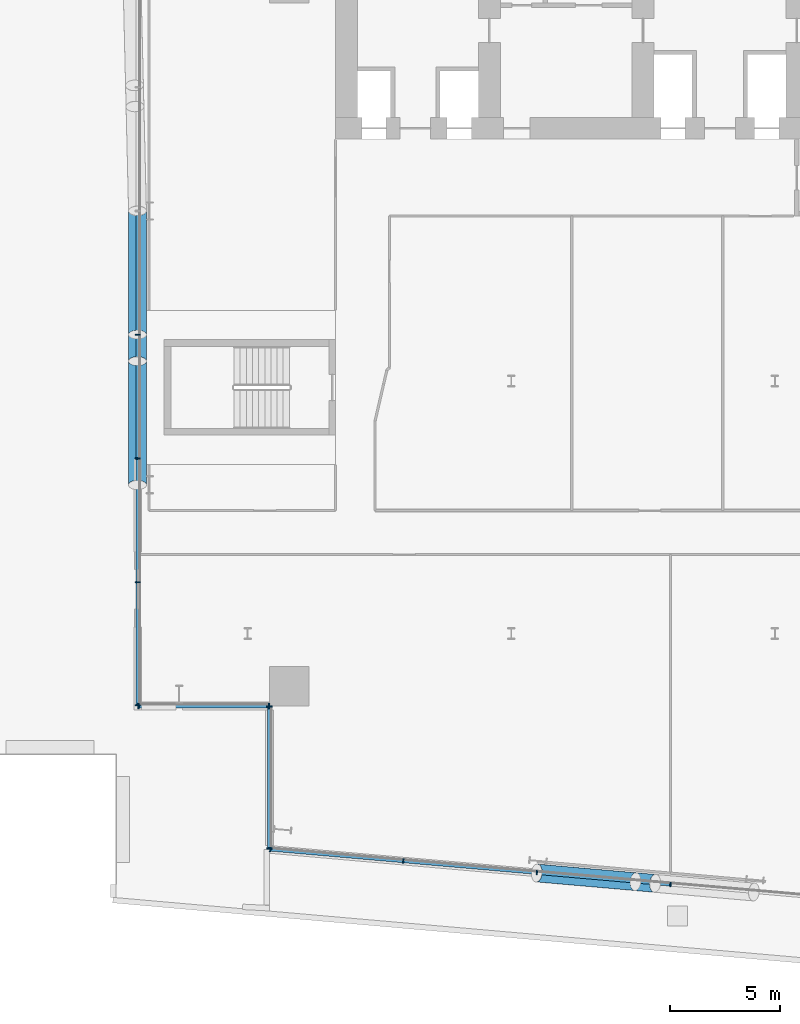
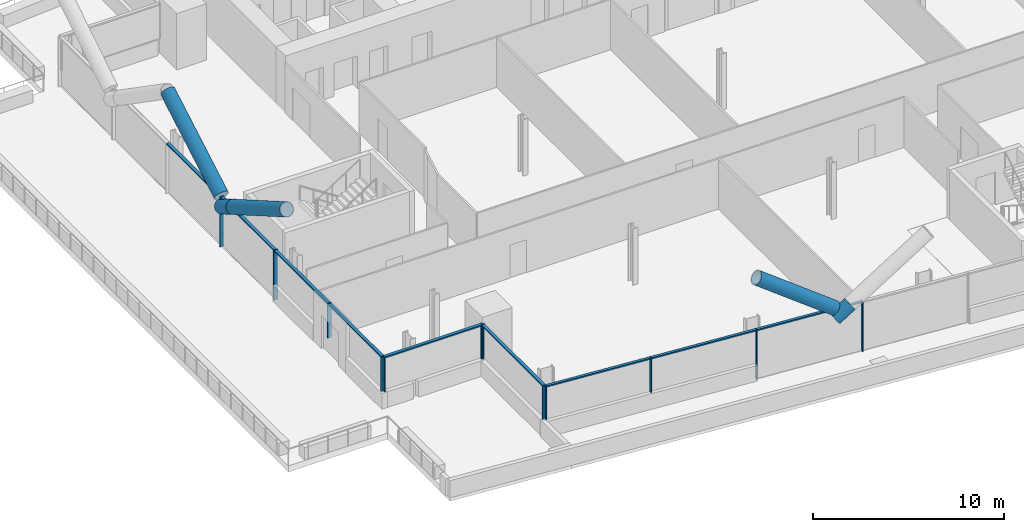
# One storey, part 4 of 26: 26 members, 4 elements without a shape of their own.
"""IFC4 building model written with IfcOpenShell, lengths in metres."""

from ifc_helpers import new_model, si_unit, direction, frame, origin, origin_2d, place, context, subcontext, project, spatial, rectangle, hollow_circle, extrude, material, material_profile, profile_set, type_object, element, aggregate, save


model = new_model("IFC4")

# Units and contexts
model_context = context("Model", 3, precision=1e-05, world=origin(), true_north=direction((0.0, 1.0)))
body_context = subcontext(model_context, "Body", "Model", "MODEL_VIEW")
ifc_project = project(units=[si_unit("LENGTHUNIT", "METRE"), si_unit("AREAUNIT", "SQUARE_METRE"), si_unit("VOLUMEUNIT", "CUBIC_METRE"), si_unit("PLANEANGLEUNIT", "RADIAN"), si_unit("MASSUNIT", "GRAM", prefix="KILO")], contexts=[model_context])

# Site, building, storey
site_placement = place(None, origin())
site = spatial("IfcSite", under=ifc_project, at=site_placement, CompositionType="ELEMENT")
building_placement = place(site_placement, origin())
building = spatial("IfcBuilding", under=site, at=building_placement, Name="Wharfspan Tower", CompositionType="ELEMENT")
storey_placement = place(building_placement, frame((0.0, 0.0, 96.699951)))
storey = spatial("IfcBuildingStorey", under=building, at=storey_placement, Name="L21", CompositionType="ELEMENT", Elevation=96.699951)

# Members
ifc_material_1 = material(Name="Steel S460NH", Category="steel")
ifc_material_profile_1 = material_profile(ifc_material_1, hollow_circle(Radius=0.406494, WallThickness=0.040039, at=origin_2d()))
ifc_profile_set_1 = profile_set([ifc_material_profile_1], Name="Steel S460NH")
member_type_1 = type_object("IfcMemberType", Name="Brace node tie CHS 813x40", PredefinedType="STRUT", material=ifc_profile_set_1)
member_1_placement = place(storey_placement, frame((29.662842, 0.202148, 2.579102), z_axis=(0.806014, -0.070389, 0.587696), x_axis=(0.086999, 0.996204, -1e-06)))
element("IfcMember", 1, at=member_1_placement, inside=storey, type_object=member_type_1, Name="Brace node tie L21 S1", PredefinedType="STRUT", context=body_context, shape_type="SweptSolid", body=[
    extrude(hollow_circle(Radius=0.406494, WallThickness=0.040039, at=origin_2d()), origin(), (0.0, 0.0, 1.0), 1.092529),
])
member_2_placement = place(storey_placement, frame((6.985107, 25.097412, 2.554932), z_axis=(0.0, -0.865914, 0.500192), x_axis=(1.0, 0.0, 0.0)))
element("IfcMember", 2, at=member_2_placement, inside=storey, type_object=member_type_1, Name="Brace node tie L21 W3", PredefinedType="STRUT", context=body_context, shape_type="SweptSolid", body=[
    extrude(hollow_circle(Radius=0.406494, WallThickness=0.040039, at=origin_2d()), origin(), (0.0, 0.0, 1.0), 1.379883),
])

# Curtain wall, members
ifc_material_2 = material(Name="Aluminium 6063-T6", Category="aluminium")
curtain_wall_type_1 = type_object("IfcCurtainWallType", Name="CURTAIN WALL FACETED FRONT", PredefinedType="NOTDEFINED", material=ifc_material_2)
curtain_wall_1_placement = place(storey_placement, origin())
curtain_wall_1 = element("IfcCurtainWall", 3, at=curtain_wall_1_placement, inside=storey, type_object=curtain_wall_type_1, Name="Curtain wall S1", PredefinedType="NOTDEFINED")
ifc_material_profile_2 = material_profile(ifc_material_2, rectangle(XDim=0.199951, YDim=0.060059, at=origin_2d()))
ifc_profile_set_2 = profile_set([ifc_material_profile_2], Name="Aluminium 6063-T6")
member_type_2 = type_object("IfcMemberType", Name="MULLION FACETED FRONT 60x200", PredefinedType="MULLION", material=ifc_profile_set_2)
member_3_placement = place(storey_placement, frame((13.029785, 1.672363, 1.0), z_axis=(0.0, 0.0, 1.0), x_axis=(0.087156, 0.996198, 0.0)))
member_3 = element("IfcMember", 4, at=member_3_placement, type_object=member_type_2, Name="Curtain wall S1 mullion 1", PredefinedType="MULLION", context=body_context, shape_type="SweptSolid", body=[
    extrude(rectangle(XDim=0.199951, YDim=0.060059, at=origin_2d()), origin(), (0.0, 0.0, 1.0), 2.199951),
])
member_4_placement = place(storey_placement, frame((19.083252, 1.142822, 1.0), z_axis=(0.0, 0.0, 1.0), x_axis=(0.087156, 0.996198, 0.0)))
member_4 = element("IfcMember", 5, at=member_4_placement, type_object=member_type_2, Name="Curtain wall S1 mullion 2", PredefinedType="MULLION", context=body_context, shape_type="SweptSolid", body=[
    extrude(rectangle(XDim=0.199951, YDim=0.060059, at=origin_2d()), origin(), (0.0, 0.0, 1.0), 2.199951),
])
member_5_placement = place(storey_placement, frame((25.166748, 0.610596, 0.0), z_axis=(0.0, 0.0, 1.0), x_axis=(0.087156, 0.996198, 0.0)))
member_5 = element("IfcMember", 6, at=member_5_placement, type_object=member_type_2, Name="Curtain wall S1 mullion 3", PredefinedType="MULLION", context=body_context, shape_type="SweptSolid", body=[
    extrude(rectangle(XDim=0.199951, YDim=0.060059, at=origin_2d()), origin(), (0.0, 0.0, 1.0), 3.199951),
])
member_6_placement = place(storey_placement, frame((31.25, 0.078369, 0.0), z_axis=(0.0, 0.0, 1.0), x_axis=(0.087156, 0.996198, 0.0)))
member_6 = element("IfcMember", 7, at=member_6_placement, type_object=member_type_2, Name="Curtain wall S1 mullion 4", PredefinedType="MULLION", context=body_context, shape_type="SweptSolid", body=[
    extrude(rectangle(XDim=0.199951, YDim=0.060059, at=origin_2d()), origin(), (0.0, 0.0, 1.0), 3.199951),
])

curtain_wall_type_2 = type_object("IfcCurtainWallType", Name="CURTAIN WALL PROW AND END", PredefinedType="NOTDEFINED", material=ifc_material_2)
curtain_wall_2_placement = place(storey_placement, origin())
curtain_wall_2 = element("IfcCurtainWall", 8, at=curtain_wall_2_placement, inside=storey, type_object=curtain_wall_type_2, Name="Curtain wall W", PredefinedType="NOTDEFINED")
ifc_material_profile_3 = material_profile(ifc_material_2, rectangle(XDim=0.23999, YDim=0.060059, at=origin_2d()))
ifc_profile_set_3 = profile_set([ifc_material_profile_3], Name="Aluminium 6063-T6")
member_type_3 = type_object("IfcMemberType", Name="MULLION PROW AND END 60x240", PredefinedType="MULLION", material=ifc_profile_set_3)
member_7_placement = place(storey_placement, frame((7.0, 25.100098, 0.0), z_axis=(0.0, 0.0, 1.0), x_axis=(1.0, 0.0, 0.0)))
member_7 = element("IfcMember", 9, at=member_7_placement, type_object=member_type_3, Name="Curtain wall W mullion 4", PredefinedType="MULLION", context=body_context, shape_type="SweptSolid", body=[
    extrude(rectangle(XDim=0.23999, YDim=0.060059, at=origin_2d()), origin(), (0.0, 0.0, 1.0), 3.199951),
])
member_8_placement = place(storey_placement, frame((7.0, 19.466553, 0.0), z_axis=(0.0, 0.0, 1.0), x_axis=(1.0, 0.0, 0.0)))
member_8 = element("IfcMember", 10, at=member_8_placement, type_object=member_type_3, Name="Curtain wall W mullion 5", PredefinedType="MULLION", context=body_context, shape_type="SweptSolid", body=[
    extrude(rectangle(XDim=0.23999, YDim=0.060059, at=origin_2d()), origin(), (0.0, 0.0, 1.0), 3.199951),
])
member_9_placement = place(storey_placement, frame((7.0, 13.833252, 1.0), z_axis=(0.0, 0.0, 1.0), x_axis=(1.0, 0.0, 0.0)))
member_9 = element("IfcMember", 11, at=member_9_placement, type_object=member_type_3, Name="Curtain wall W mullion 6", PredefinedType="MULLION", context=body_context, shape_type="SweptSolid", body=[
    extrude(rectangle(XDim=0.23999, YDim=0.060059, at=origin_2d()), origin(), (0.0, 0.0, 1.0), 2.199951),
])
member_10_placement = place(storey_placement, frame((7.0, 8.22998, 1.0), z_axis=(0.0, 0.0, 1.0), x_axis=(1.0, 0.0, 0.0)))
member_10 = element("IfcMember", 12, at=member_10_placement, type_object=member_type_3, Name="Curtain wall W mullion 7", PredefinedType="MULLION", context=body_context, shape_type="SweptSolid", body=[
    extrude(rectangle(XDim=0.23999, YDim=0.060059, at=origin_2d()), origin(), (0.0, 0.0, 1.0), 2.199951),
])

curtain_wall_3_placement = place(storey_placement, origin())
curtain_wall_3 = element("IfcCurtainWall", 13, at=curtain_wall_3_placement, inside=storey, type_object=curtain_wall_type_2, Name="Curtain wall NFW-H", PredefinedType="NOTDEFINED")
member_11_placement = place(storey_placement, frame((7.030029, 8.199951, 1.0), z_axis=(0.0, 0.0, 1.0), x_axis=(0.0, 1.0, 0.0)))
member_11 = element("IfcMember", 14, at=member_11_placement, type_object=member_type_3, Name="Curtain wall NFW-H mullion 1", PredefinedType="MULLION", context=body_context, shape_type="SweptSolid", body=[
    extrude(rectangle(XDim=0.23999, YDim=0.060059, at=origin_2d()), origin(), (0.0, 0.0, 1.0), 2.199951),
])
member_12_placement = place(storey_placement, frame((12.969971, 8.199951, 1.0), z_axis=(0.0, 0.0, 1.0), x_axis=(0.0, 1.0, 0.0)))
member_12 = element("IfcMember", 15, at=member_12_placement, type_object=member_type_3, Name="Curtain wall NFW-H mullion 2", PredefinedType="MULLION", context=body_context, shape_type="SweptSolid", body=[
    extrude(rectangle(XDim=0.23999, YDim=0.060059, at=origin_2d()), origin(), (0.0, 0.0, 1.0), 2.199951),
])

curtain_wall_4_placement = place(storey_placement, origin())
curtain_wall_4 = element("IfcCurtainWall", 16, at=curtain_wall_4_placement, inside=storey, type_object=curtain_wall_type_2, Name="Curtain wall NFW-V", PredefinedType="NOTDEFINED")
member_13_placement = place(storey_placement, frame((13.0, 8.169922, 1.0), z_axis=(0.0, 0.0, 1.0), x_axis=(1.0, 0.0, 0.0)))
member_13 = element("IfcMember", 17, at=member_13_placement, type_object=member_type_3, Name="Curtain wall NFW-V mullion 1", PredefinedType="MULLION", context=body_context, shape_type="SweptSolid", body=[
    extrude(rectangle(XDim=0.23999, YDim=0.060059, at=origin_2d()), origin(), (0.0, 0.0, 1.0), 2.199951),
])
member_14_placement = place(storey_placement, frame((13.0, 1.705078, 1.0), z_axis=(0.0, 0.0, 1.0), x_axis=(1.0, 0.0, 0.0)))
member_14 = element("IfcMember", 18, at=member_14_placement, type_object=member_type_3, Name="Curtain wall NFW-V mullion 2", PredefinedType="MULLION", context=body_context, shape_type="SweptSolid", body=[
    extrude(rectangle(XDim=0.23999, YDim=0.060059, at=origin_2d()), origin(), (0.0, 0.0, 1.0), 2.199951),
])

# Members
ifc_material_profile_4 = material_profile(ifc_material_1, hollow_circle(Radius=0.406494, WallThickness=0.040039, at=origin_2d()))
ifc_profile_set_4 = profile_set([ifc_material_profile_4], Name="Steel S460NH")
member_type_4 = type_object("IfcMemberType", Name="Mega brace CHS 813x40", PredefinedType="BRACE", material=ifc_profile_set_4)
member_15_placement = place(storey_placement, frame((29.654785, 0.202881, 3.227051), z_axis=(-0.806051, 0.070528, 0.587629), x_axis=(-0.087168, -0.996193, -4e-06)))
element("IfcMember", 19, at=member_15_placement, inside=storey, type_object=member_type_4, Name="Mega brace S1 L21 part 4", PredefinedType="BRACE", context=body_context, shape_type="SweptSolid", body=[
    extrude(hollow_circle(Radius=0.406494, WallThickness=0.040039, at=origin_2d()), origin(), (0.0, 0.0, 1.0), 5.569824),
])
for number, where, z_axis, x_axis, name in (
    (20, (6.985107, 23.894043, 3.25), (0.0, -0.865959, 0.500115), (1.0, 0.0, 0.0), "Mega brace W3 L21 part 2"),
    (21, (6.985107, 25.105957, 3.25), (0.0, 0.865959, 0.500115), (-1.0, 0.0, 0.0), "Mega brace W3 L21 part 4"),
):
    element("IfcMember", number, at=place(storey_placement, frame(where, z_axis=z_axis, x_axis=x_axis)), inside=storey, type_object=member_type_4, Name=name, PredefinedType="BRACE", context=body_context, shape_type="SweptSolid", body=[
        extrude(hollow_circle(Radius=0.406494, WallThickness=0.040039, at=origin_2d()), origin(), (0.0, 0.0, 1.0), 6.498535),
    ])

# Member
ifc_material_profile_5 = material_profile(ifc_material_2, rectangle(XDim=0.159912, YDim=0.080078, at=origin_2d()))
ifc_profile_set_5 = profile_set([ifc_material_profile_5], Name="Aluminium 6063-T6")
member_type_5 = type_object("IfcMemberType", Name="TRANSOM FACETED FRONT 80x160", PredefinedType="USERDEFINED", material=ifc_profile_set_5)
member_16_placement = place(storey_placement, frame((13.059814, 1.669922, 3.160156), z_axis=(0.996194, -0.087162, 0.0), x_axis=(0.087162, 0.996194, 0.0)))
member_16 = element("IfcMember", 22, at=member_16_placement, type_object=member_type_5, Name="Curtain wall S1 transom 1", ObjectType="TRANSOM", PredefinedType="USERDEFINED", context=body_context, shape_type="SweptSolid", body=[
    extrude(rectangle(XDim=0.159912, YDim=0.080078, at=origin_2d()), origin(), (0.0, 0.0, 1.0), 6.016602),
])

member_17_placement = place(storey_placement, frame((19.113281, 1.140137, 3.160156), z_axis=(0.996197, -0.087135, 0.0), x_axis=(0.087135, 0.996197, 0.0)))
member_17 = element("IfcMember", 23, at=member_17_placement, type_object=member_type_5, Name="Curtain wall S1 transom 2", ObjectType="TRANSOM", PredefinedType="USERDEFINED", context=body_context, shape_type="SweptSolid", body=[
    extrude(rectangle(XDim=0.159912, YDim=0.080078, at=origin_2d()), origin(), (0.0, 0.0, 1.0), 6.046387),
])

member_18_placement = place(storey_placement, frame((25.196533, 0.60791, 3.160156), z_axis=(0.996197, -0.087131, 0.0), x_axis=(0.087131, 0.996197, 0.0)))
member_18 = element("IfcMember", 24, at=member_18_placement, type_object=member_type_5, Name="Curtain wall S1 transom 3", ObjectType="TRANSOM", PredefinedType="USERDEFINED", context=body_context, shape_type="SweptSolid", body=[
    extrude(rectangle(XDim=0.159912, YDim=0.080078, at=origin_2d()), origin(), (0.0, 0.0, 1.0), 6.046631),
])

aggregate(curtain_wall_1, [member_3, member_4, member_5, member_6, member_16, member_17, member_18])

ifc_material_profile_6 = material_profile(ifc_material_2, rectangle(XDim=0.179932, YDim=0.080078, at=origin_2d()))
ifc_profile_set_6 = profile_set([ifc_material_profile_6], Name="Aluminium 6063-T6")
member_type_6 = type_object("IfcMemberType", Name="TRANSOM PROW AND END 80x180", PredefinedType="USERDEFINED", material=ifc_profile_set_6)
member_19_placement = place(storey_placement, frame((7.0, 30.703369, 3.160156), z_axis=(0.0, -1.0, 0.0), x_axis=(1.0, 0.0, 0.0)))
member_19 = element("IfcMember", 25, at=member_19_placement, type_object=member_type_6, Name="Curtain wall W transom 3", ObjectType="TRANSOM", PredefinedType="USERDEFINED", context=body_context, shape_type="SweptSolid", body=[
    extrude(rectangle(XDim=0.179932, YDim=0.080078, at=origin_2d()), origin(), (0.0, 0.0, 1.0), 5.573486),
])

member_20_placement = place(storey_placement, frame((7.0, 25.070068, 3.160156), z_axis=(0.0, -1.0, 0.0), x_axis=(1.0, 0.0, 0.0)))
member_20 = element("IfcMember", 26, at=member_20_placement, type_object=member_type_6, Name="Curtain wall W transom 4", ObjectType="TRANSOM", PredefinedType="USERDEFINED", context=body_context, shape_type="SweptSolid", body=[
    extrude(rectangle(XDim=0.179932, YDim=0.080078, at=origin_2d()), origin(), (0.0, 0.0, 1.0), 5.573486),
])

member_21_placement = place(storey_placement, frame((7.0, 19.436768, 3.160156), z_axis=(0.0, -1.0, 0.0), x_axis=(1.0, 0.0, 0.0)))
member_21 = element("IfcMember", 27, at=member_21_placement, type_object=member_type_6, Name="Curtain wall W transom 5", ObjectType="TRANSOM", PredefinedType="USERDEFINED", context=body_context, shape_type="SweptSolid", body=[
    extrude(rectangle(XDim=0.179932, YDim=0.080078, at=origin_2d()), origin(), (0.0, 0.0, 1.0), 5.573486),
])

member_22_placement = place(storey_placement, frame((7.0, 13.803223, 3.160156), z_axis=(0.0, -1.0, 0.0), x_axis=(1.0, 0.0, 0.0)))
member_22 = element("IfcMember", 28, at=member_22_placement, type_object=member_type_6, Name="Curtain wall W transom 6", ObjectType="TRANSOM", PredefinedType="USERDEFINED", context=body_context, shape_type="SweptSolid", body=[
    extrude(rectangle(XDim=0.179932, YDim=0.080078, at=origin_2d()), origin(), (0.0, 0.0, 1.0), 5.543213),
])

aggregate(curtain_wall_2, [member_7, member_8, member_9, member_10, member_19, member_20, member_21, member_22])

member_23_placement = place(storey_placement, frame((7.060059, 8.199951, 3.160156), z_axis=(1.0, 0.0, 0.0), x_axis=(0.0, 1.0, 0.0)))
member_23 = element("IfcMember", 29, at=member_23_placement, type_object=member_type_6, Name="Curtain wall NFW-H transom 1", ObjectType="TRANSOM", PredefinedType="USERDEFINED", context=body_context, shape_type="SweptSolid", body=[
    extrude(rectangle(XDim=0.179932, YDim=0.080078, at=origin_2d()), origin(), (0.0, 0.0, 1.0), 5.879883),
])

aggregate(curtain_wall_3, [member_11, member_12, member_23])

member_24_placement = place(storey_placement, frame((13.0, 8.139893, 3.160156), z_axis=(0.0, -1.0, 0.0), x_axis=(1.0, 0.0, 0.0)))
member_24 = element("IfcMember", 30, at=member_24_placement, type_object=member_type_6, Name="Curtain wall NFW-V transom 1", ObjectType="TRANSOM", PredefinedType="USERDEFINED", context=body_context, shape_type="SweptSolid", body=[
    extrude(rectangle(XDim=0.179932, YDim=0.080078, at=origin_2d()), origin(), (0.0, 0.0, 1.0), 6.404785),
])

aggregate(curtain_wall_4, [member_13, member_14, member_24])

save(model, "model.ifc")
